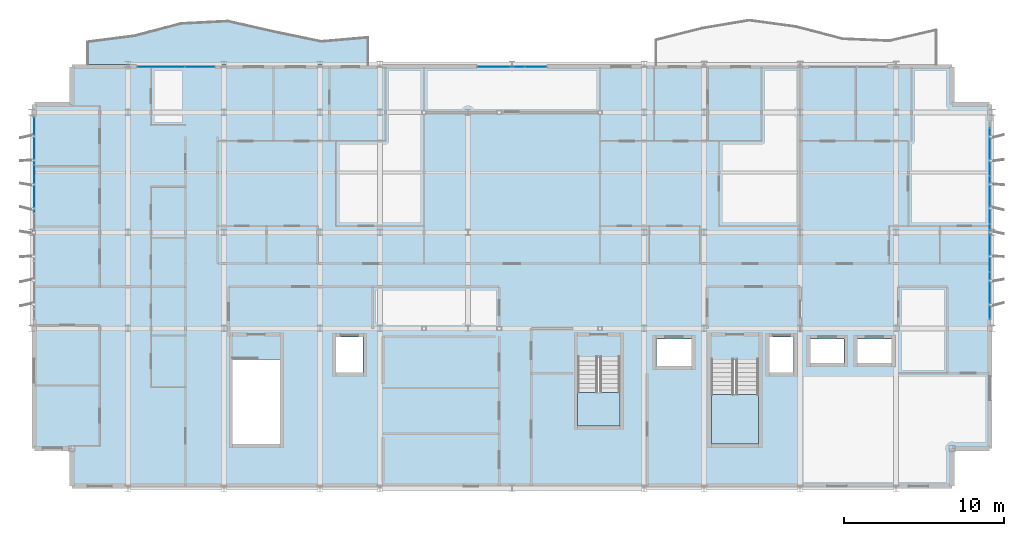
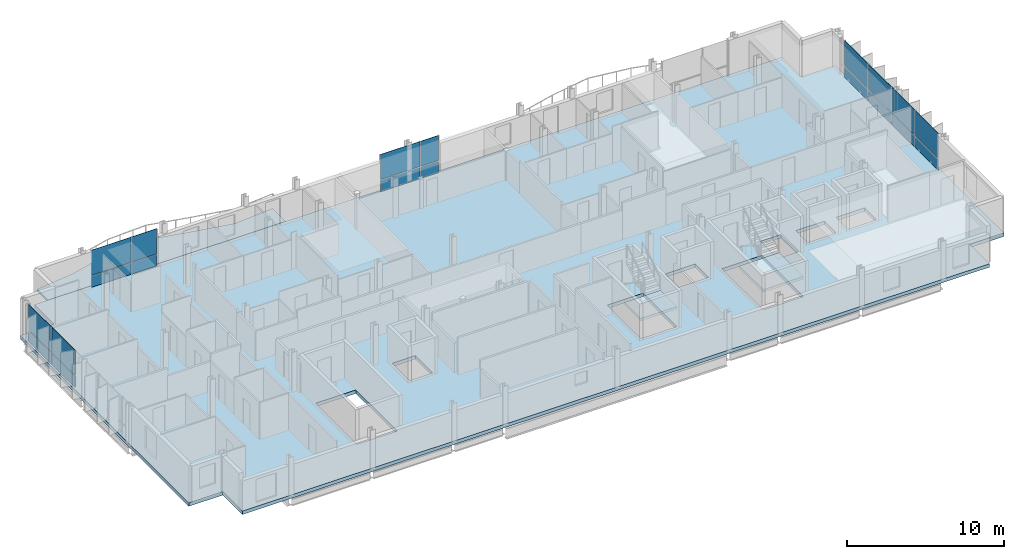
# One storey, part 22 of 35: 20 plates, 4 slabs, 6 elements without a shape of their own.
"""IFC4 building model written with IfcOpenShell, lengths in metres."""

from ifc_helpers import new_model, si_unit, direction, frame, origin, origin_2d, place, context, subcontext, project, spatial, polyline, rectangle, outline, extrude, material, layer, layer_set, type_object, element, aggregate, save


model = new_model("IFC4")

# Units and contexts
model_context = context("Model", 3, precision=1e-05, world=origin(), true_north=direction((0.0, 1.0)))
body_context = subcontext(model_context, "Body", "Model", "MODEL_VIEW")
ifc_project = project(units=[si_unit("LENGTHUNIT", "METRE"), si_unit("AREAUNIT", "SQUARE_METRE"), si_unit("VOLUMEUNIT", "CUBIC_METRE"), si_unit("PLANEANGLEUNIT", "RADIAN"), si_unit("MASSUNIT", "GRAM", prefix="KILO")], contexts=[model_context])

# Site, building, storey
site_placement = place(None, origin())
site = spatial("IfcSite", under=ifc_project, at=site_placement, CompositionType="ELEMENT")
building_placement = place(site_placement, origin())
building = spatial("IfcBuilding", under=site, at=building_placement, Name="Brevholm Reach", CompositionType="ELEMENT")
storey_placement = place(building_placement, frame((0.0, 0.0, 218.0)))
storey = spatial("IfcBuildingStorey", under=building, at=storey_placement, Name="L66", CompositionType="ELEMENT", Elevation=218.0)

# Curtain wall, plates
ifc_material_1 = material(Name="Dark Anodised Aluminium 6063-T6 and Solar-Control Glass", Category="aluminium")
ifc_layer_1 = layer(ifc_material_1, 0.14990234375)
ifc_layer_set_1 = layer_set([ifc_layer_1], Name="Dark Anodised Aluminium 6063-T6 and Solar-Control Glass")
curtain_wall_type = type_object("IfcCurtainWallType", Name="CW-01", PredefinedType="NOTDEFINED", material=ifc_layer_set_1)
curtain_wall_1_placement = place(storey_placement, origin())
curtain_wall_1 = element("IfcCurtainWall", 1, at=curtain_wall_1_placement, inside=storey, type_object=curtain_wall_type, Name="L66 Curtain Wall CW-01", PredefinedType="NOTDEFINED")
ifc_material_2 = material(Name="Dark Solar-Control Double-Glazed IGU Glass", Category="glass")
ifc_layer_2 = layer(ifc_material_2, 0.028076171875)
ifc_layer_set_2 = layer_set([ifc_layer_2], Name="Dark Solar-Control Double-Glazed IGU Glass")
plate_type = type_object("IfcPlateType", Name="CWP-GLZ-28", PredefinedType="CURTAIN_PANEL", material=ifc_layer_set_2)
plate_1_placement = place(storey_placement, frame((0.14990234375, 21.703857421875, 0.0), z_axis=(0.0, 0.0, 1.0), x_axis=(0.0, -1.0, 0.0)))
plate_1 = element("IfcPlate", 2, at=plate_1_placement, type_object=plate_type, Name="CP-01 Glazing Panel 1.1", PredefinedType="CURTAIN_PANEL", context=body_context, shape_type="SweptSolid", body=[
    extrude(rectangle(XDim=2.902587890625, YDim=0.028076171875, at=origin_2d()), origin(), (0.0, 0.0, 1.0), 0.867431640625),
])
plate_2_placement = place(storey_placement, frame((0.14990234375, 21.703857421875, 0.932373046875), z_axis=(0.0, 0.0, 1.0), x_axis=(0.0, -1.0, 0.0)))
plate_2 = element("IfcPlate", 3, at=plate_2_placement, type_object=plate_type, Name="CP-01 Glazing Panel 1.2", PredefinedType="CURTAIN_PANEL", context=body_context, shape_type="SweptSolid", body=[
    extrude(rectangle(XDim=2.902587890625, YDim=0.028076171875, at=origin_2d()), origin(), (0.0, 0.0, 1.0), 1.95751953125),
])
plate_3_placement = place(storey_placement, frame((0.14990234375, 18.719970703125, 0.0), z_axis=(0.0, 0.0, 1.0), x_axis=(0.0, -1.0, 0.0)))
plate_3 = element("IfcPlate", 4, at=plate_3_placement, type_object=plate_type, Name="CP-01 Glazing Panel 2.1", PredefinedType="CURTAIN_PANEL", context=body_context, shape_type="SweptSolid", body=[
    extrude(rectangle(XDim=2.93505859375, YDim=0.028076171875, at=origin_2d()), origin(), (0.0, 0.0, 1.0), 0.867431640625),
])
plate_4_placement = place(storey_placement, frame((0.14990234375, 18.719970703125, 0.932373046875), z_axis=(0.0, 0.0, 1.0), x_axis=(0.0, -1.0, 0.0)))
plate_4 = element("IfcPlate", 5, at=plate_4_placement, type_object=plate_type, Name="CP-01 Glazing Panel 2.2", PredefinedType="CURTAIN_PANEL", context=body_context, shape_type="SweptSolid", body=[
    extrude(rectangle(XDim=2.93505859375, YDim=0.028076171875, at=origin_2d()), origin(), (0.0, 0.0, 1.0), 1.95751953125),
])
aggregate(curtain_wall_1, [plate_1, plate_2, plate_3, plate_4])

curtain_wall_2_placement = place(storey_placement, origin())
curtain_wall_2 = element("IfcCurtainWall", 6, at=curtain_wall_2_placement, inside=storey, type_object=curtain_wall_type, Name="L66 Curtain Wall CW-01", PredefinedType="NOTDEFINED")
plate_5_placement = place(storey_placement, frame((59.85009765625, 12.066162109375, 0.0), z_axis=(0.0, 0.0, 1.0), x_axis=(0.0, 1.0, 0.0)))
plate_5 = element("IfcPlate", 7, at=plate_5_placement, type_object=plate_type, Name="CP-01 Glazing Panel 1.1", PredefinedType="CURTAIN_PANEL", context=body_context, shape_type="SweptSolid", body=[
    extrude(rectangle(XDim=2.902587890625, YDim=0.028076171875, at=origin_2d()), origin(), (0.0, 0.0, 1.0), 0.867431640625),
])
plate_6_placement = place(storey_placement, frame((59.85009765625, 12.066162109375, 0.932373046875), z_axis=(0.0, 0.0, 1.0), x_axis=(0.0, 1.0, 0.0)))
plate_6 = element("IfcPlate", 8, at=plate_6_placement, type_object=plate_type, Name="CP-01 Glazing Panel 1.2", PredefinedType="CURTAIN_PANEL", context=body_context, shape_type="SweptSolid", body=[
    extrude(rectangle(XDim=2.902587890625, YDim=0.028076171875, at=origin_2d()), origin(), (0.0, 0.0, 1.0), 1.95751953125),
])
plate_7_placement = place(storey_placement, frame((59.85009765625, 15.050048828125, 0.0), z_axis=(0.0, 0.0, 1.0), x_axis=(0.0, 1.0, 0.0)))
plate_7 = element("IfcPlate", 9, at=plate_7_placement, type_object=plate_type, Name="CP-01 Glazing Panel 2.1", PredefinedType="CURTAIN_PANEL", context=body_context, shape_type="SweptSolid", body=[
    extrude(rectangle(XDim=2.93505859375, YDim=0.028076171875, at=origin_2d()), origin(), (0.0, 0.0, 1.0), 0.867431640625),
])
plate_8_placement = place(storey_placement, frame((59.85009765625, 15.050048828125, 0.932373046875), z_axis=(0.0, 0.0, 1.0), x_axis=(0.0, 1.0, 0.0)))
plate_8 = element("IfcPlate", 10, at=plate_8_placement, type_object=plate_type, Name="CP-01 Glazing Panel 2.2", PredefinedType="CURTAIN_PANEL", context=body_context, shape_type="SweptSolid", body=[
    extrude(rectangle(XDim=2.93505859375, YDim=0.028076171875, at=origin_2d()), origin(), (0.0, 0.0, 1.0), 1.95751953125),
])
plate_9_placement = place(storey_placement, frame((59.85009765625, 18.050048828125, 0.0), z_axis=(0.0, 0.0, 1.0), x_axis=(0.0, 1.0, 0.0)))
plate_9 = element("IfcPlate", 11, at=plate_9_placement, type_object=plate_type, Name="CP-01 Glazing Panel 3.1", PredefinedType="CURTAIN_PANEL", context=body_context, shape_type="SweptSolid", body=[
    extrude(rectangle(XDim=2.93505859375, YDim=0.028076171875, at=origin_2d()), origin(), (0.0, 0.0, 1.0), 0.867431640625),
])
plate_10_placement = place(storey_placement, frame((59.85009765625, 18.050048828125, 0.932373046875), z_axis=(0.0, 0.0, 1.0), x_axis=(0.0, 1.0, 0.0)))
plate_10 = element("IfcPlate", 12, at=plate_10_placement, type_object=plate_type, Name="CP-01 Glazing Panel 3.2", PredefinedType="CURTAIN_PANEL", context=body_context, shape_type="SweptSolid", body=[
    extrude(rectangle(XDim=2.93505859375, YDim=0.028076171875, at=origin_2d()), origin(), (0.0, 0.0, 1.0), 1.95751953125),
])
plate_11_placement = place(storey_placement, frame((59.85009765625, 21.050048828125, 0.0), z_axis=(0.0, 0.0, 1.0), x_axis=(0.0, 1.0, 0.0)))
plate_11 = element("IfcPlate", 13, at=plate_11_placement, type_object=plate_type, Name="CP-01 Glazing Panel 4.1", PredefinedType="CURTAIN_PANEL", context=body_context, shape_type="SweptSolid", body=[
    extrude(rectangle(XDim=2.93505859375, YDim=0.028076171875, at=origin_2d()), origin(), (0.0, 0.0, 1.0), 0.867431640625),
])
plate_12_placement = place(storey_placement, frame((59.85009765625, 21.050048828125, 0.932373046875), z_axis=(0.0, 0.0, 1.0), x_axis=(0.0, 1.0, 0.0)))
plate_12 = element("IfcPlate", 14, at=plate_12_placement, type_object=plate_type, Name="CP-01 Glazing Panel 4.2", PredefinedType="CURTAIN_PANEL", context=body_context, shape_type="SweptSolid", body=[
    extrude(rectangle(XDim=2.93505859375, YDim=0.028076171875, at=origin_2d()), origin(), (0.0, 0.0, 1.0), 1.95751953125),
])
aggregate(curtain_wall_2, [plate_5, plate_6, plate_7, plate_8, plate_9, plate_10, plate_11, plate_12])

curtain_wall_3_placement = place(storey_placement, origin())
curtain_wall_3 = element("IfcCurtainWall", 15, at=curtain_wall_3_placement, inside=storey, type_object=curtain_wall_type, Name="L66 Curtain Wall CW-01", PredefinedType="NOTDEFINED")
plate_13_placement = place(storey_placement, frame((8.066162109375, 26.35009765625, 0.0), z_axis=(0.0, 0.0, 1.0), x_axis=(1.0, 0.0, 0.0)))
plate_13 = element("IfcPlate", 16, at=plate_13_placement, type_object=plate_type, Name="CP-01 Glazing Panel 1.1", PredefinedType="CURTAIN_PANEL", context=body_context, shape_type="SweptSolid", body=[
    extrude(rectangle(XDim=2.902587890625, YDim=0.028076171875, at=origin_2d()), origin(), (0.0, 0.0, 1.0), 0.867431640625),
])
plate_14_placement = place(storey_placement, frame((8.066162109375, 26.35009765625, 0.932373046875), z_axis=(0.0, 0.0, 1.0), x_axis=(1.0, 0.0, 0.0)))
plate_14 = element("IfcPlate", 17, at=plate_14_placement, type_object=plate_type, Name="CP-01 Glazing Panel 1.2", PredefinedType="CURTAIN_PANEL", context=body_context, shape_type="SweptSolid", body=[
    extrude(rectangle(XDim=2.902587890625, YDim=0.028076171875, at=origin_2d()), origin(), (0.0, 0.0, 1.0), 1.95751953125),
])
plate_15_placement = place(storey_placement, frame((10.483642578125, 26.35009765625, 0.0), z_axis=(0.0, 0.0, 1.0), x_axis=(1.0, 0.0, 0.0)))
plate_15 = element("IfcPlate", 18, at=plate_15_placement, type_object=plate_type, Name="CP-01 Glazing Panel 2.1", PredefinedType="CURTAIN_PANEL", context=body_context, shape_type="SweptSolid", body=[
    extrude(rectangle(XDim=1.802490234375, YDim=0.028076171875, at=origin_2d()), origin(), (0.0, 0.0, 1.0), 0.867431640625),
])
plate_16_placement = place(storey_placement, frame((10.483642578125, 26.35009765625, 0.932373046875), z_axis=(0.0, 0.0, 1.0), x_axis=(1.0, 0.0, 0.0)))
plate_16 = element("IfcPlate", 19, at=plate_16_placement, type_object=plate_type, Name="CP-01 Glazing Panel 2.2", PredefinedType="CURTAIN_PANEL", context=body_context, shape_type="SweptSolid", body=[
    extrude(rectangle(XDim=1.802490234375, YDim=0.028076171875, at=origin_2d()), origin(), (0.0, 0.0, 1.0), 1.95751953125),
])
aggregate(curtain_wall_3, [plate_13, plate_14, plate_15, plate_16])

curtain_wall_4_placement = place(storey_placement, origin())
curtain_wall_4 = element("IfcCurtainWall", 20, at=curtain_wall_4_placement, inside=storey, type_object=curtain_wall_type, Name="L66 Curtain Wall CW-01", PredefinedType="NOTDEFINED")
plate_17_placement = place(storey_placement, frame((29.316162109375, 26.35009765625, 0.0), z_axis=(0.0, 0.0, 1.0), x_axis=(1.0, 0.0, 0.0)))
plate_17 = element("IfcPlate", 21, at=plate_17_placement, type_object=plate_type, Name="CP-01 Glazing Panel 1.1", PredefinedType="CURTAIN_PANEL", context=body_context, shape_type="SweptSolid", body=[
    extrude(rectangle(XDim=2.902587890625, YDim=0.028076171875, at=origin_2d()), origin(), (0.0, 0.0, 1.0), 0.867431640625),
])
plate_18_placement = place(storey_placement, frame((29.316162109375, 26.35009765625, 0.932373046875), z_axis=(0.0, 0.0, 1.0), x_axis=(1.0, 0.0, 0.0)))
plate_18 = element("IfcPlate", 22, at=plate_18_placement, type_object=plate_type, Name="CP-01 Glazing Panel 1.2", PredefinedType="CURTAIN_PANEL", context=body_context, shape_type="SweptSolid", body=[
    extrude(rectangle(XDim=2.902587890625, YDim=0.028076171875, at=origin_2d()), origin(), (0.0, 0.0, 1.0), 1.95751953125),
])
plate_19_placement = place(storey_placement, frame((31.483642578125, 26.35009765625, 0.0), z_axis=(0.0, 0.0, 1.0), x_axis=(1.0, 0.0, 0.0)))
plate_19 = element("IfcPlate", 23, at=plate_19_placement, type_object=plate_type, Name="CP-01 Glazing Panel 2.1", PredefinedType="CURTAIN_PANEL", context=body_context, shape_type="SweptSolid", body=[
    extrude(rectangle(XDim=1.302490234375, YDim=0.028076171875, at=origin_2d()), origin(), (0.0, 0.0, 1.0), 0.867431640625),
])
plate_20_placement = place(storey_placement, frame((31.483642578125, 26.35009765625, 0.932373046875), z_axis=(0.0, 0.0, 1.0), x_axis=(1.0, 0.0, 0.0)))
plate_20 = element("IfcPlate", 24, at=plate_20_placement, type_object=plate_type, Name="CP-01 Glazing Panel 2.2", PredefinedType="CURTAIN_PANEL", context=body_context, shape_type="SweptSolid", body=[
    extrude(rectangle(XDim=1.302490234375, YDim=0.028076171875, at=origin_2d()), origin(), (0.0, 0.0, 1.0), 1.95751953125),
])
aggregate(curtain_wall_4, [plate_17, plate_18, plate_19, plate_20])

# Slabs
ifc_material_3 = material(Name="Precast Concrete C45/55", Category="concrete")
ifc_layer_3 = layer(ifc_material_3, 0.14990234375)
ifc_layer_set_3 = layer_set([ifc_layer_3], Name="Precast Concrete C45/55")
slab_type_1 = type_object("IfcSlabType", Name="SLB-BAL-150", PredefinedType="FLOOR", material=ifc_layer_set_3)
slab_1_placement = place(storey_placement, frame((0.0, 0.0, -0.14990234375)))
element("IfcSlab", 25, at=slab_1_placement, inside=storey, type_object=slab_type_1, Name="L66 Rippling External Balcony NW", PredefinedType="FLOOR", context=body_context, shape_type="SweptSolid", body=[
    extrude(outline(polyline([(3.5, 26.5), (21.0, 26.5), (21.0, 28.17822265625), (18.083251953125, 27.926025390625), (15.166748046875, 28.52783203125), (12.25, 29.191650390625), (9.333251953125, 29.0439453125), (6.416748046875, 28.279052734375), (3.5, 27.90380859375), (3.5, 26.5)])), origin(), (0.0, 0.0, 1.0), 0.14990234375),
])
ifc_material_4 = material(Name="Concrete C50/60", Category="concrete")
ifc_layer_4 = layer(ifc_material_4, 0.27001953125)
ifc_layer_set_4 = layer_set([ifc_layer_4], Name="Concrete C50/60")
slab_type_2 = type_object("IfcSlabType", Name="SLB-FL-270", PredefinedType="FLOOR", material=ifc_layer_set_4)
slab_2_placement = place(storey_placement, frame((0.0, 0.0, -0.27001953125)))
element("IfcSlab", 26, at=slab_2_placement, inside=storey, type_object=slab_type_2, Name="L66 Suspended Floor Slab (main)", PredefinedType="FLOOR", context=body_context, shape_type="SweptSolid", body=[
    extrude(outline(polyline([(2.5, 0.0), (57.5, 0.0), (57.5, 2.5), (60.0, 2.5), (60.0, 24.0), (57.5, 24.0), (57.5, 26.5), (2.5, 26.5), (2.5, 24.0), (0.0, 24.0), (0.0, 2.5), (2.5, 2.5), (2.5, 0.0)]), holes=[polyline([(12.550048828125, 2.780029296875), (15.5, 2.780029296875), (15.5, 8.044921875), (12.550048828125, 8.044921875), (12.550048828125, 2.780029296875)]), polyline([(42.449951171875, 2.780029296875), (45.39990234375, 2.780029296875), (45.39990234375, 8.044921875), (42.449951171875, 8.044921875), (42.449951171875, 2.780029296875)]), polyline([(34.10009765625, 3.919921875), (36.75, 3.919921875), (36.75, 8.195068359375), (34.10009765625, 8.195068359375), (34.10009765625, 3.919921875)]), polyline([(19.0, 7.25), (20.699951171875, 7.25), (20.699951171875, 9.449951171875), (19.0, 9.449951171875), (19.0, 7.25)]), polyline([(46.10009765625, 7.25), (47.60009765625, 7.25), (47.60009765625, 9.449951171875), (46.10009765625, 9.449951171875), (46.10009765625, 7.25)]), polyline([(39.02001953125, 7.64990234375), (41.219970703125, 7.64990234375), (41.219970703125, 9.35009765625), (39.02001953125, 9.35009765625), (39.02001953125, 7.64990234375)]), polyline([(48.64990234375, 7.85009765625), (50.75, 7.85009765625), (50.75, 9.35009765625), (48.64990234375, 9.35009765625), (48.64990234375, 7.85009765625)]), polyline([(51.60009765625, 7.85009765625), (53.699951171875, 7.85009765625), (53.699951171875, 9.35009765625), (51.60009765625, 9.35009765625), (51.60009765625, 7.85009765625)])]), origin(), (0.0, 0.0, 1.0), 0.27001953125),
])

# Stair, slab
ifc_material_5 = material(Name="Precast Concrete C40/50", Category="concrete")
stair_type_1 = type_object("IfcStairType", Name="STR-ESC-1400", PredefinedType="DOUBLE_RETURN_STAIR", material=ifc_material_5)
stair_1_placement = place(storey_placement, origin())
stair_1 = element("IfcStair", 27, at=stair_1_placement, inside=storey, type_object=stair_type_1, Name="L66 ST-2", PredefinedType="DOUBLE_RETURN_STAIR")
ifc_material_6 = material(Name="Concrete C40/50", Category="concrete")
ifc_layer_5 = layer(ifc_material_6, 0.199951171875)
ifc_layer_set_5 = layer_set([ifc_layer_5], Name="Concrete C40/50")
slab_type_3 = type_object("IfcSlabType", Name="SLB-LND-200", PredefinedType="LANDING", material=ifc_layer_set_5)
slab_3_placement = place(storey_placement, frame((0.0, 0.0, 1.35009765625)))
slab_3 = element("IfcSlab", 28, at=slab_3_placement, type_object=slab_type_3, Name="ST-2 landing 1", PredefinedType="LANDING", context=body_context, shape_type="SweptSolid", body=[
    extrude(outline(polyline([(42.449951171875, 5.860107421875), (42.449951171875, 2.780029296875), (45.39990234375, 2.780029296875), (45.39990234375, 5.860107421875), (42.449951171875, 5.860107421875)])), origin(), (0.0, 0.0, 1.0), 0.199951171875),
])
aggregate(stair_1, [slab_3])

ifc_material_7 = material(Name="Precast Concrete C40/50", Category="concrete")
stair_type_2 = type_object("IfcStairType", Name="STR-ESC-1250", PredefinedType="DOUBLE_RETURN_STAIR", material=ifc_material_7)
stair_2_placement = place(storey_placement, origin())
stair_2 = element("IfcStair", 29, at=stair_2_placement, inside=storey, type_object=stair_type_2, Name="L66 ST-3", PredefinedType="DOUBLE_RETURN_STAIR")
slab_4_placement = place(storey_placement, frame((0.0, 0.0, 1.35009765625)))
slab_4 = element("IfcSlab", 30, at=slab_4_placement, type_object=slab_type_3, Name="ST-3 landing 1", PredefinedType="LANDING", context=body_context, shape_type="SweptSolid", body=[
    extrude(outline(polyline([(34.10009765625, 6.010009765625), (34.10009765625, 3.919921875), (36.75, 3.919921875), (36.75, 6.010009765625), (34.10009765625, 6.010009765625)])), origin(), (0.0, 0.0, 1.0), 0.199951171875),
])
aggregate(stair_2, [slab_4])

save(model, "model.ifc")
